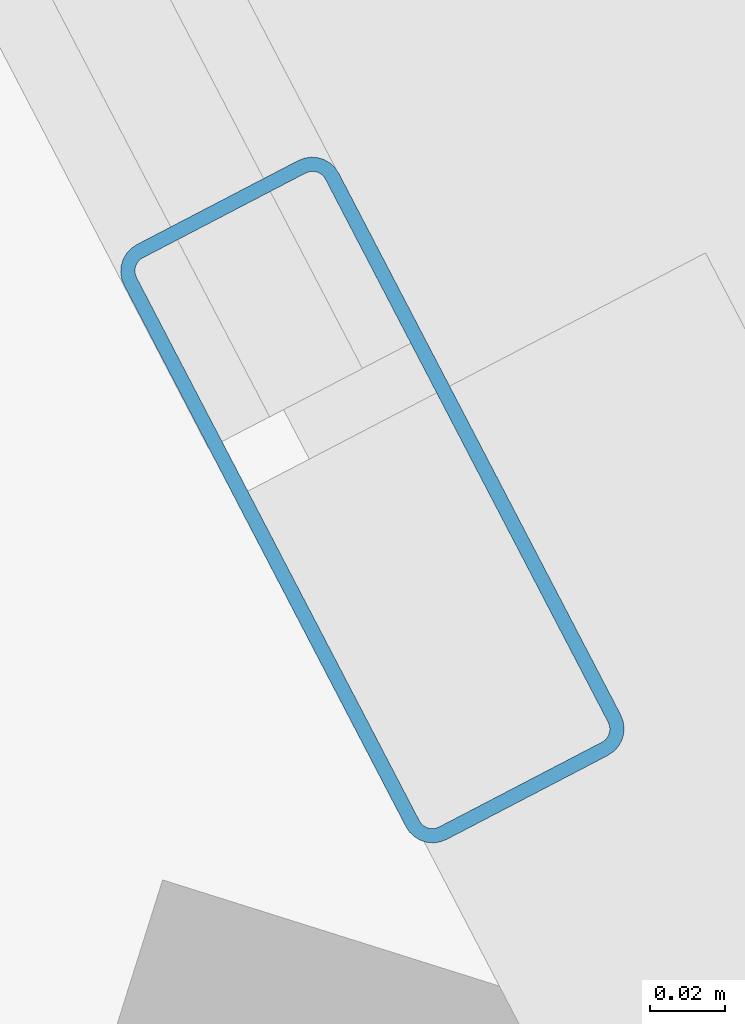
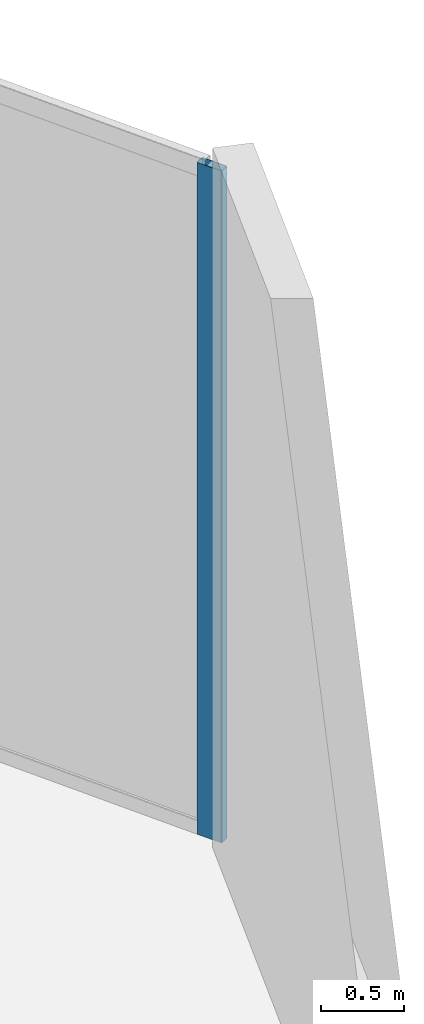
# One storey, part 20 of 29: 1 member, 1 element without a shape of its own.
"""IFC4 building model written with IfcOpenShell, lengths in metres."""

from ifc_helpers import new_model, si_unit, direction, frame, origin, origin_2d, place, context, subcontext, project, spatial, hollow_rectangle, extrude, source, transform, mapped, material, material_profile, profile_set, type_object, element, aggregate, save


model = new_model("IFC4")

# Units and contexts
model_context = context("Model", 3, precision=1e-05, world=origin(), true_north=direction((0.0, 1.0)))
body_context = subcontext(model_context, "Body", "Model", "MODEL_VIEW")
ifc_project = project(units=[si_unit("LENGTHUNIT", "METRE"), si_unit("AREAUNIT", "SQUARE_METRE"), si_unit("VOLUMEUNIT", "CUBIC_METRE"), si_unit("PLANEANGLEUNIT", "RADIAN"), si_unit("MASSUNIT", "GRAM", prefix="KILO")], contexts=[model_context])

# Site, building, storey
site_placement = place(None, origin())
site = spatial("IfcSite", under=ifc_project, at=site_placement, CompositionType="ELEMENT")
building_placement = place(site_placement, origin())
building = spatial("IfcBuilding", under=site, at=building_placement, Name="Torre Montelarca", CompositionType="ELEMENT")
storey_placement = place(building_placement, frame((0.0, 0.0, 122.199951171875)))
storey = spatial("IfcBuildingStorey", under=building, at=storey_placement, Name="L27", CompositionType="ELEMENT", Elevation=122.199951171875)

# Curtain wall, member
ifc_material_1 = material(Name="Insulated low-E laminated glass", Category="glass")
curtain_wall_type = type_object("IfcCurtainWallType", Name="CW-SYS-Z1", PredefinedType="USERDEFINED", material=ifc_material_1)
curtain_wall_placement = place(storey_placement, origin())
curtain_wall = element("IfcCurtainWall", 1, at=curtain_wall_placement, inside=storey, type_object=curtain_wall_type, Name="L27 Curtain Wall Run CW-T3-L27-E07-B1", ObjectType="UNITISED GLAZING", PredefinedType="USERDEFINED")
ifc_material_2 = material(Name="Anodised aluminium AA 6063-T6", Category="aluminium")
ifc_material_profile = material_profile(ifc_material_2, hollow_rectangle(XDim=0.06494140625, YDim=0.179931640625, WallThickness=0.00390625, InnerFilletRadius=0.00390625, OuterFilletRadius=0.008056640625, at=origin_2d()), Name="ALU65X180X4", Category="aluminium")
ifc_profile_set = profile_set([ifc_material_profile], Name="Anodised aluminium AA 6063-T6")
member_type = type_object("IfcMemberType", Name="CWM-ALU180", PredefinedType="MULLION", material=ifc_profile_set)
shared_shape = source(origin(), body_context, "Body", "SweptSolid", [
    extrude(hollow_rectangle(XDim=0.06494140625, YDim=0.179931640625, WallThickness=0.00390625, InnerFilletRadius=0.00390625, OuterFilletRadius=0.008056640625, at=origin_2d()), origin(), (0.0, 0.0, 1.0), 4.920166015625),
])
member_placement = place(storey_placement, frame((65.2490234375, 30.5244140625, 0.0), z_axis=(0.0, 0.0, 1.0), x_axis=(-0.887014239788, -0.461742069139, 0.0)))
member = element("IfcMember", 2, at=member_placement, type_object=member_type, Name="CW mullion 1", PredefinedType="MULLION", context=body_context, shape_type="MappedRepresentation", body=[
    mapped(shared_shape, transform((0.0, 0.0, 0.0), scale=1.0)),
])
aggregate(curtain_wall, [member])

save(model, "model.ifc")
